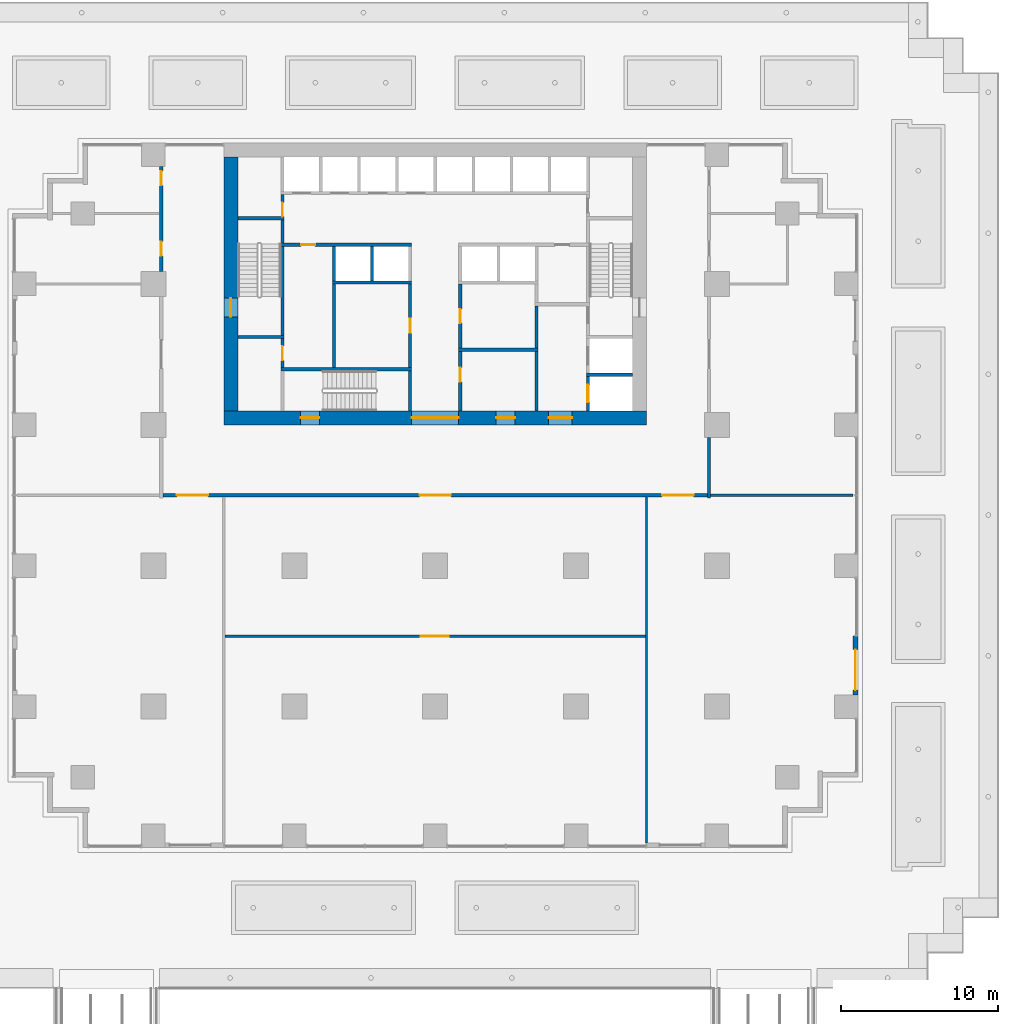
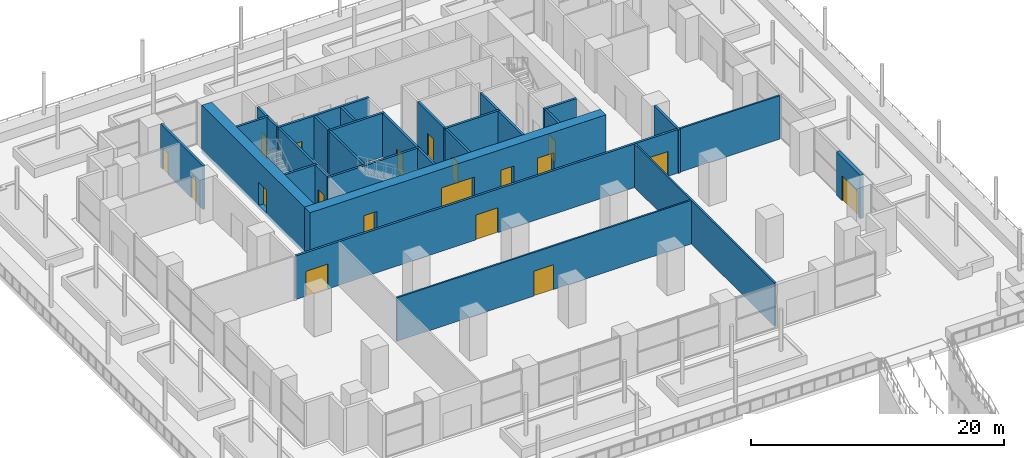
# One storey, part 10 of 18: 30 walls, 19 doors, 19 openings.
"""IFC4 building model written with IfcOpenShell, lengths in metres."""

import ifcopenshell
import ifcopenshell.guid

model = None  # the IFC model being written
_history = None  # IfcOwnerHistory: only IFC2X3 demands one
_inside = {}  # id of a spatial element -> (the spatial element, [elements in it])
_under = {}  # id of a project, library or spatial element -> (it, [spatial elements below it])
_declared = {}  # id of a project -> (the project, [libraries it declares])
_typed = {}  # id of a type object -> (the type object, [elements of that type])
_made_of = {}  # id of a material, layer set ... -> (it, [elements and type objects made of it])


def new_model(schema):
    """Start an empty IFC model of exactly this schema.

    Asked for "IFC4X3", IfcOpenShell would pick the latest addendum, in which some entities
    have other attributes; the version numbers below select the first issue.
    IFC2X3 requires an IfcOwnerHistory on every rooted entity: one is made here for all.
    """
    global model, _history
    if schema == "IFC4X3":
        model = ifcopenshell.file(schema_version=(4, 3, 0, 0))
    else:
        model = ifcopenshell.file(schema=schema)
    _inside.clear()
    _under.clear()
    _declared.clear()
    _typed.clear()
    _made_of.clear()
    _history = None
    if model.schema == "IFC2X3":
        org = make("IfcOrganization", Name="unknown")
        user = make(
            "IfcPersonAndOrganization",
            ThePerson=make("IfcPerson", FamilyName="unknown"),
            TheOrganization=org,
        )
        app = make(
            "IfcApplication",
            ApplicationDeveloper=org,
            Version="unknown",
            ApplicationFullName="unknown",
            ApplicationIdentifier="unknown",
        )
        _history = make(
            "IfcOwnerHistory",
            OwningUser=user,
            OwningApplication=app,
            ChangeAction="ADDED",
            CreationDate=0,
        )
    return model


def make(cls, **values):
    """One entity of the class cls with the attributes given. An attribute that is None is left unset."""
    return model.create_entity(
        cls, **{name: value for name, value in values.items() if value is not None}
    )


def rooted(cls, **values):
    """An entity with a GlobalId (a new one), such as an element, a storey or a relation."""
    return make(cls, GlobalId=ifcopenshell.guid.new(), OwnerHistory=_history, **values)


def si_unit(unit_type, name, prefix=None):
    """IfcSIUnit, for example si_unit("LENGTHUNIT", "METRE", prefix="MILLI")."""
    return make("IfcSIUnit", UnitType=unit_type, Prefix=prefix, Name=name)


def assignment(units):
    """IfcUnitAssignment: the units of a project."""
    return None if units is None else make("IfcUnitAssignment", Units=units)


def point(xyz):
    """IfcCartesianPoint."""
    return None if xyz is None else make("IfcCartesianPoint", Coordinates=xyz)


def direction(xyz):
    """IfcDirection."""
    return None if xyz is None else make("IfcDirection", DirectionRatios=xyz)


def frame(location, z_axis=None, x_axis=None):
    """IfcAxis2Placement3D, a coordinate frame: its origin and axes. An axis left out is left unset."""
    return make(
        "IfcAxis2Placement3D",
        Location=point(location),
        Axis=direction(z_axis),
        RefDirection=direction(x_axis),
    )


def frame_2d(location, x_axis=None):
    """IfcAxis2Placement2D, a coordinate frame in the plane: its origin and x axis."""
    return make(
        "IfcAxis2Placement2D", Location=point(location), RefDirection=direction(x_axis)
    )


def origin():
    """The frame at (0, 0, 0) with its axes left unset."""
    return frame((0.0, 0.0, 0.0))


def place(relative_to, where):
    """IfcLocalPlacement: puts the frame where relative to a parent placement (None: the world)."""
    return make(
        "IfcLocalPlacement", PlacementRelTo=relative_to, RelativePlacement=where
    )


def context(
    kind, dimensions, precision=None, world=None, true_north=None, identifier=None
):
    """IfcGeometricRepresentationContext, for example the 3D "Model" context."""
    return make(
        "IfcGeometricRepresentationContext",
        ContextIdentifier=identifier,
        ContextType=kind,
        CoordinateSpaceDimension=dimensions,
        Precision=precision,
        WorldCoordinateSystem=world,
        TrueNorth=true_north,
    )


def subcontext(parent, identifier, kind, view, scale=None):
    """IfcGeometricRepresentationSubContext, for example "Body" below "Model"."""
    return make(
        "IfcGeometricRepresentationSubContext",
        ContextIdentifier=identifier,
        ContextType=kind,
        ParentContext=parent,
        TargetScale=scale,
        TargetView=view,
    )


def project(units=None, contexts=None):
    """IfcProject with its units and contexts."""
    return rooted(
        "IfcProject",
        Name="project",
        RepresentationContexts=contexts,
        UnitsInContext=assignment(units),
    )


def spatial(cls, under=None, at=None, **own):
    """A site, building, storey or space (cls), placed at a placement, below another one or the project."""
    s = rooted(cls, ObjectPlacement=at, **own)
    if under is not None:
        _under.setdefault(under.id(), (under, []))[1].append(s)
    return s


def profile(cls, at=None, kind="AREA", **sizes):
    """A parametric profile (cls). Its sizes go by their IFC names, for example OverallWidth=200.0."""
    return make(cls, ProfileType=kind, Position=at, **sizes)


def rectangle(**sizes):
    """IfcRectangleProfileDef."""
    return profile("IfcRectangleProfileDef", **sizes)


def extrude(swept, where, along, depth):
    """IfcExtrudedAreaSolid: the profile swept, set in the frame where, extruded along a direction by depth."""
    return make(
        "IfcExtrudedAreaSolid",
        SweptArea=swept,
        Position=where,
        ExtrudedDirection=direction(along),
        Depth=depth,
    )


def shape(context_of_items, identifier, shape_type, items):
    """IfcShapeRepresentation: the items that make up one representation, for example the "Body"."""
    return make(
        "IfcShapeRepresentation",
        ContextOfItems=context_of_items,
        RepresentationIdentifier=identifier,
        RepresentationType=shape_type,
        Items=items,
    )


def material(Name=None, Category=None):
    """IfcMaterial."""
    return make("IfcMaterial", Name=Name, Category=Category)


def layer(
    of_material, thickness, ventilated=None, Name=None, Category=None, Priority=None
):
    """IfcMaterialLayer: one layer of a wall or slab, of a material (None: an air gap)."""
    return make(
        "IfcMaterialLayer",
        Material=of_material,
        LayerThickness=thickness,
        IsVentilated=ventilated,
        Name=Name,
        Category=Category,
        Priority=Priority,
    )


def layer_set(layers, Name=None):
    """IfcMaterialLayerSet."""
    return make("IfcMaterialLayerSet", MaterialLayers=layers, LayerSetName=Name)


def made_of(thing, what):
    """Note that an element or type object is made of a material, layer set ...; save() writes the relation."""
    if what is not None:
        _made_of.setdefault(what.id(), (what, []))[1].append(thing)
    return thing


def type_object(cls, material=None, **own):
    """A type object (cls), such as IfcWallType, which elements share."""
    return made_of(rooted(cls, **own), material)


def element(
    cls,
    number,
    at=None,
    inside=None,
    cuts=None,
    type_object=None,
    material=None,
    context=None,
    identifier="Body",
    shape_type=None,
    held_by="IfcProductDefinitionShape",
    body=None,
    shapes=None,
    **own,
):
    """One element of the class cls, such as IfcWall. Its Tag is "e" and its number.

    at: its placement. inside: the storey or other place that contains it. cuts: it is an
    opening in that element (IfcRelVoidsElement). A single representation is given by context,
    identifier, shape_type and body (its items); several are given by shapes. held_by: the class
    of the entity that holds the representations. save() writes the other relations.
    """
    e = rooted(cls, Tag="e%d" % number, ObjectPlacement=at, **own)
    if body is not None:
        shapes = [shape(context, identifier, shape_type, body)]
    if shapes is not None:
        e.Representation = make(held_by, Representations=shapes)
    if inside is not None:
        _inside.setdefault(inside.id(), (inside, []))[1].append(e)
    if cuts is not None:
        rooted(
            "IfcRelVoidsElement", RelatingBuildingElement=cuts, RelatedOpeningElement=e
        )
    if type_object is not None:
        _typed.setdefault(type_object.id(), (type_object, []))[1].append(e)
    return made_of(e, material)


def fill(opening, filler):
    """IfcRelFillsElement: the door or window that sits in an opening."""
    return rooted(
        "IfcRelFillsElement",
        RelatingOpeningElement=opening,
        RelatedBuildingElement=filler,
    )


def aggregate(whole, parts):
    """IfcRelAggregates: a whole, such as a stair, and the parts it consists of."""
    return rooted("IfcRelAggregates", RelatingObject=whole, RelatedObjects=parts)


def save(model, path):
    """Write the relations noted so far, then the file.

    IfcRelAggregates (storeys below a building ...), IfcRelContainedInSpatialStructure (elements
    in a storey), IfcRelDefinesByType, IfcRelAssociatesMaterial and IfcRelDeclares: one each for
    every whole, place, type object, material and project.
    """
    for whole, parts in _under.values():
        aggregate(whole, parts)
    for where, things in _inside.values():
        rooted(
            "IfcRelContainedInSpatialStructure",
            RelatedElements=things,
            RelatingStructure=where,
        )
    for kind, things in _typed.values():
        rooted("IfcRelDefinesByType", RelatedObjects=things, RelatingType=kind)
    for what, things in _made_of.values():
        rooted("IfcRelAssociatesMaterial", RelatedObjects=things, RelatingMaterial=what)
    for by, libraries in _declared.values():
        rooted("IfcRelDeclares", RelatingContext=by, RelatedDefinitions=libraries)
    model.write(path)


model = new_model("IFC4")

# Units and contexts
model_context = context("Model", 3, precision=1e-05, world=origin(), true_north=direction((0.0, 1.0)))
body_context = subcontext(model_context, "Body", "Model", "MODEL_VIEW")
ifc_project = project(units=[si_unit("LENGTHUNIT", "METRE"), si_unit("AREAUNIT", "SQUARE_METRE"), si_unit("VOLUMEUNIT", "CUBIC_METRE"), si_unit("PLANEANGLEUNIT", "RADIAN"), si_unit("MASSUNIT", "GRAM", prefix="KILO")], contexts=[model_context])

# Site, building, storey
site_placement = place(None, origin())
site = spatial("IfcSite", under=ifc_project, at=site_placement, CompositionType="ELEMENT")
building_placement = place(site_placement, origin())
building = spatial("IfcBuilding", under=site, at=building_placement, Name="Orbiselva Terraces", CompositionType="ELEMENT")
storey_placement = place(building_placement, frame((0.0, 0.0, 10.5)))
storey = spatial("IfcBuildingStorey", under=building, at=storey_placement, Name="L02", CompositionType="ELEMENT", Elevation=10.5)

# Wall, openings, doors
ifc_material_1 = material(Name="Concrete C80/95", Category="concrete")
ifc_layer_1 = layer(ifc_material_1, 0.9)
ifc_layer_set_1 = layer_set([ifc_layer_1], Name="Concrete C80/95")
wall_type_1 = type_object("IfcWallType", Name="CORE WALL 900", PredefinedType="SHEAR", material=ifc_layer_set_1)
wall_1_placement = place(storey_placement, frame((-13.5, 4.95, -0.35), z_axis=(0.0, 0.0, 1.0), x_axis=(1.0, 0.0, 0.0)))
wall_1 = element("IfcWall", 1, at=wall_1_placement, inside=storey, type_object=wall_type_1, Name="Core wall L02 south", PredefinedType="SHEAR", context=body_context, shape_type="SweptSolid", body=[
    extrude(rectangle(XDim=27.0, YDim=0.9, at=frame_2d((13.5, 0.0))), origin(), (0.0, 0.0, 1.0), 4.55),
])
opening_1_placement = place(wall_1_placement, frame((12.0, 0.0, 0.35)))
opening_1 = element("IfcOpeningElement", 2, at=opening_1_placement, cuts=wall_1, Name="Opening DL3000", PredefinedType="OPENING", context=body_context, shape_type="SweptSolid", body=[
    extrude(rectangle(XDim=3.0, YDim=2.4, at=frame_2d((1.5, 1.2))), frame((0.0, 0.46, 0.0), z_axis=(0.0, -1.0, 0.0), x_axis=(1.0, 0.0, 0.0)), (0.0, 0.0, 1.0), 0.92),
])
opening_2_placement = place(wall_1_placement, frame((4.9, 0.0, 0.35)))
opening_2 = element("IfcOpeningElement", 3, at=opening_2_placement, cuts=wall_1, Name="Opening DS1200", PredefinedType="OPENING", context=body_context, shape_type="SweptSolid", body=[
    extrude(rectangle(XDim=1.2, YDim=2.2, at=frame_2d((0.6, 1.1))), frame((0.0, 0.46, 0.0), z_axis=(0.0, -1.0, 0.0), x_axis=(1.0, 0.0, 0.0)), (0.0, 0.0, 1.0), 0.92),
])
opening_3_placement = place(wall_1_placement, frame((20.75, 0.0, 0.35)))
opening_3 = element("IfcOpeningElement", 4, at=opening_3_placement, cuts=wall_1, Name="Opening DF1500", PredefinedType="OPENING", context=body_context, shape_type="SweptSolid", body=[
    extrude(rectangle(XDim=1.5, YDim=2.2, at=frame_2d((0.75, 1.1))), frame((0.0, 0.46, 0.0), z_axis=(0.0, -1.0, 0.0), x_axis=(1.0, 0.0, 0.0)), (0.0, 0.0, 1.0), 0.92),
])
opening_4_placement = place(wall_1_placement, frame((17.4, 0.0, 0.35)))
opening_4 = element("IfcOpeningElement", 5, at=opening_4_placement, cuts=wall_1, Name="Opening DV1200", PredefinedType="OPENING", context=body_context, shape_type="SweptSolid", body=[
    extrude(rectangle(XDim=1.2, YDim=2.2, at=frame_2d((0.6, 1.1))), frame((0.0, 0.46, 0.0), z_axis=(0.0, -1.0, 0.0), x_axis=(1.0, 0.0, 0.0)), (0.0, 0.0, 1.0), 0.92),
])
ifc_material_2 = material(Name="Steel fire door", Category="steel")
door_type_1 = type_object("IfcDoorType", Name="FFL DOOR 1500", OperationType="DOUBLE_DOOR_SINGLE_SWING", PredefinedType="DOOR", material=ifc_material_2)
door_1_placement = place(opening_3_placement, frame((1.5, 0.0, 0.0), z_axis=(0.0, 0.0, 1.0), x_axis=(-1.0, 0.0, 0.0)))
door_1 = element("IfcDoor", 6, at=door_1_placement, inside=storey, type_object=door_type_1, Name="L02 FIRE-FIGHTING LOBBY door", OperationType="DOUBLE_DOOR_SINGLE_SWING", OverallHeight=2.2, OverallWidth=1.5, PredefinedType="DOOR", context=body_context, shape_type="SweptSolid", body=[
    extrude(rectangle(XDim=1.5, YDim=2.2, at=frame_2d((0.75, 1.1))), frame((0.0, 0.025, 0.0), z_axis=(0.0, -1.0, 0.0), x_axis=(1.0, 0.0, 0.0)), (0.0, 0.0, 1.0), 0.05),
])
fill(opening_3, door_1)
door_type_2 = type_object("IfcDoorType", Name="LOBBY DOOR 3000", OperationType="DOUBLE_DOOR_SINGLE_SWING", PredefinedType="DOOR", material=ifc_material_2)
door_2_placement = place(opening_1_placement, frame((3.0, 0.0, 0.0), z_axis=(0.0, 0.0, 1.0), x_axis=(-1.0, 0.0, 0.0)))
door_2 = element("IfcDoor", 7, at=door_2_placement, inside=storey, type_object=door_type_2, Name="L02 LIFT LOBBY door", OperationType="DOUBLE_DOOR_SINGLE_SWING", OverallHeight=2.4, OverallWidth=3.0, PredefinedType="DOOR", context=body_context, shape_type="SweptSolid", body=[
    extrude(rectangle(XDim=3.0, YDim=2.4, at=frame_2d((1.5, 1.2))), frame((0.0, 0.025, 0.0), z_axis=(0.0, -1.0, 0.0), x_axis=(1.0, 0.0, 0.0)), (0.0, 0.0, 1.0), 0.05),
])
fill(opening_1, door_2)
door_type_3 = type_object("IfcDoorType", Name="SERVICE DOOR 1200", OperationType="NOTDEFINED", PredefinedType="DOOR", material=ifc_material_2)
door_3_placement = place(opening_4_placement, frame((1.2, 0.0, 0.0), z_axis=(0.0, 0.0, 1.0), x_axis=(-1.0, 0.0, 0.0)))
door_3 = element("IfcDoor", 8, at=door_3_placement, inside=storey, type_object=door_type_3, Name="L02 ELECTRICAL ROOM door", OperationType="SINGLE_SWING_RIGHT", OverallHeight=2.2, OverallWidth=1.2, PredefinedType="DOOR", context=body_context, shape_type="SweptSolid", body=[
    extrude(rectangle(XDim=1.2, YDim=2.2, at=frame_2d((0.6, 1.1))), frame((0.0, 0.025, 0.0), z_axis=(0.0, -1.0, 0.0), x_axis=(1.0, 0.0, 0.0)), (0.0, 0.0, 1.0), 0.05),
])
fill(opening_4, door_3)
door_type_4 = type_object("IfcDoorType", Name="STAIR DOOR 1200", OperationType="NOTDEFINED", PredefinedType="DOOR", material=ifc_material_2)
door_4_placement = place(opening_2_placement, frame((1.2, 0.0, 0.0), z_axis=(0.0, 0.0, 1.0), x_axis=(-1.0, 0.0, 0.0)))
door_4 = element("IfcDoor", 9, at=door_4_placement, inside=storey, type_object=door_type_4, Name="L02 EXIT STAIR S3 door", OperationType="SINGLE_SWING_LEFT", OverallHeight=2.2, OverallWidth=1.2, PredefinedType="DOOR", context=body_context, shape_type="SweptSolid", body=[
    extrude(rectangle(XDim=1.2, YDim=2.2, at=frame_2d((0.6, 1.1))), frame((0.0, 0.025, 0.0), z_axis=(0.0, -1.0, 0.0), x_axis=(1.0, 0.0, 0.0)), (0.0, 0.0, 1.0), 0.05),
])
fill(opening_2, door_4)

# Wall, opening, door
wall_2_placement = place(storey_placement, frame((-13.05, 21.6, -0.35), z_axis=(0.0, 0.0, 1.0), x_axis=(0.0, -1.0, 0.0)))
wall_2 = element("IfcWall", 10, at=wall_2_placement, inside=storey, type_object=wall_type_1, Name="Core wall L02 west", PredefinedType="SHEAR", context=body_context, shape_type="SweptSolid", body=[
    extrude(rectangle(XDim=16.2, YDim=0.9, at=frame_2d((8.1, 0.0))), origin(), (0.0, 0.0, 1.0), 4.55),
])
opening_5_placement = place(wall_2_placement, frame((9.0, 0.0, 0.35)))
opening_5 = element("IfcOpeningElement", 11, at=opening_5_placement, cuts=wall_2, Name="Opening DS1200", PredefinedType="OPENING", context=body_context, shape_type="SweptSolid", body=[
    extrude(rectangle(XDim=1.2, YDim=2.2, at=frame_2d((0.6, 1.1))), frame((0.0, 0.46, 0.0), z_axis=(0.0, -1.0, 0.0), x_axis=(1.0, 0.0, 0.0)), (0.0, 0.0, 1.0), 0.92),
])
door_5_placement = place(opening_5_placement, frame((1.2, 0.0, 0.0), z_axis=(0.0, 0.0, 1.0), x_axis=(-1.0, 0.0, 0.0)))
door_5 = element("IfcDoor", 12, at=door_5_placement, inside=storey, type_object=door_type_4, Name="L02 EXIT STAIR S1 door", OperationType="SINGLE_SWING_RIGHT", OverallHeight=2.2, OverallWidth=1.2, PredefinedType="DOOR", context=body_context, shape_type="SweptSolid", body=[
    extrude(rectangle(XDim=1.2, YDim=2.2, at=frame_2d((0.6, 1.1))), frame((0.0, 0.025, 0.0), z_axis=(0.0, -1.0, 0.0), x_axis=(1.0, 0.0, 0.0)), (0.0, 0.0, 1.0), 0.05),
])
fill(opening_5, door_5)

ifc_material_3 = material(Name="Masonry blockwork", Category="masonry")
ifc_layer_2 = layer(ifc_material_3, 0.2)
ifc_layer_set_2 = layer_set([ifc_layer_2], Name="Masonry blockwork")
wall_type_2 = type_object("IfcWallType", Name="CORE-WALL-PARTITION-200", PredefinedType="PARTITIONING", material=ifc_layer_set_2)
wall_3_placement = place(storey_placement, frame((-9.75, 8.15, 0.0), z_axis=(0.0, 0.0, 1.0), x_axis=(0.0, 1.0, 0.0)))
wall_3 = element("IfcWall", 13, at=wall_3_placement, inside=storey, type_object=wall_type_2, Name="L02 core wall 05", PredefinedType="PARTITIONING", context=body_context, shape_type="SweptSolid", body=[
    extrude(rectangle(XDim=1.85, YDim=0.2, at=frame_2d((0.925, 0.0))), origin(), (0.0, 0.0, 1.0), 4.2),
])
opening_6_placement = place(wall_3_placement, frame((0.475, 0.0, 0.0)))
opening_6 = element("IfcOpeningElement", 14, at=opening_6_placement, cuts=wall_3, Name="Opening DR900", PredefinedType="OPENING", context=body_context, shape_type="SweptSolid", body=[
    extrude(rectangle(XDim=0.9, YDim=2.1, at=frame_2d((0.45, 1.05))), frame((0.0, 0.11, 0.0), z_axis=(0.0, -1.0, 0.0), x_axis=(1.0, 0.0, 0.0)), (0.0, 0.0, 1.0), 0.22),
])
door_type_5 = type_object("IfcDoorType", Name="ROOM DOOR 900", OperationType="NOTDEFINED", PredefinedType="DOOR", material=ifc_material_2)
door_6_placement = place(opening_6_placement, origin())
door_6 = element("IfcDoor", 15, at=door_6_placement, inside=storey, type_object=door_type_5, Name="L02 STAFF WC door", OperationType="SINGLE_SWING_RIGHT", OverallHeight=2.1, OverallWidth=0.9, PredefinedType="DOOR", context=body_context, shape_type="SweptSolid", body=[
    extrude(rectangle(XDim=0.9, YDim=2.1, at=frame_2d((0.45, 1.05))), frame((0.0, 0.025, 0.0), z_axis=(0.0, -1.0, 0.0), x_axis=(1.0, 0.0, 0.0)), (0.0, 0.0, 1.0), 0.05),
])
fill(opening_6, door_6)

wall_4_placement = place(storey_placement, frame((-9.75, 17.8, 0.0), z_axis=(0.0, 0.0, 1.0), x_axis=(0.0, 1.0, 0.0)))
wall_4 = element("IfcWall", 16, at=wall_4_placement, inside=storey, type_object=wall_type_2, Name="L02 core wall 09", PredefinedType="PARTITIONING", context=body_context, shape_type="SweptSolid", body=[
    extrude(rectangle(XDim=1.4, YDim=0.2, at=frame_2d((0.7, 0.0))), origin(), (0.0, 0.0, 1.0), 4.2),
])
opening_7_placement = place(wall_4_placement, origin())
opening_7 = element("IfcOpeningElement", 17, at=opening_7_placement, cuts=wall_4, Name="Opening DR900", PredefinedType="OPENING", context=body_context, shape_type="SweptSolid", body=[
    extrude(rectangle(XDim=0.9, YDim=2.1, at=frame_2d((0.45, 1.05))), frame((0.0, 0.11, 0.0), z_axis=(0.0, -1.0, 0.0), x_axis=(1.0, 0.0, 0.0)), (0.0, 0.0, 1.0), 0.22),
])
door_7_placement = place(opening_7_placement, origin())
door_7 = element("IfcDoor", 18, at=door_7_placement, inside=storey, type_object=door_type_5, Name="L02 ELECTRICAL RISER ROOM door", OperationType="SINGLE_SWING_LEFT", OverallHeight=2.1, OverallWidth=0.9, PredefinedType="DOOR", context=body_context, shape_type="SweptSolid", body=[
    extrude(rectangle(XDim=0.9, YDim=2.1, at=frame_2d((0.45, 1.05))), frame((0.0, 0.025, 0.0), z_axis=(0.0, -1.0, 0.0), x_axis=(1.0, 0.0, 0.0)), (0.0, 0.0, 1.0), 0.05),
])
fill(opening_7, door_7)

# Walls
wall_5_placement = place(storey_placement, frame((-6.475, 8.15, 0.0), z_axis=(0.0, 0.0, 1.0), x_axis=(0.0, 1.0, 0.0)))
element("IfcWall", 19, at=wall_5_placement, inside=storey, type_object=wall_type_2, Name="L02 core wall 13", PredefinedType="PARTITIONING", context=body_context, shape_type="SweptSolid", body=[
    extrude(rectangle(XDim=5.35, YDim=0.2, at=frame_2d((2.675, 0.0))), origin(), (0.0, 0.0, 1.0), 4.2),
])
ifc_material_4 = material(Name="Concrete C40/50", Category="concrete")
ifc_layer_3 = layer(ifc_material_4, 0.2)
ifc_layer_set_3 = layer_set([ifc_layer_3], Name="Concrete C40/50")
wall_type_3 = type_object("IfcWallType", Name="CORE-WALL-SHAFT-200", PredefinedType="PARTITIONING", material=ifc_layer_set_3)
for number, where, z_axis, x_axis, name in (
    (20, (-6.475, 13.7, 0.0), (0.0, 0.0, 1.0), (0.0, 1.0, 0.0), "L02 core wall 15"),
    (21, (-4.0375, 13.7, 0.0), (0.0, 0.0, 1.0), (0.0, 1.0, 0.0), "L02 core wall 17"),
):
    element("IfcWall", number, at=place(storey_placement, frame(where, z_axis=z_axis, x_axis=x_axis)), inside=storey, type_object=wall_type_3, Name=name, PredefinedType="PARTITIONING", context=body_context, shape_type="SweptSolid", body=[
        extrude(rectangle(XDim=2.2, YDim=0.2, at=frame_2d((1.1, 0.0))), origin(), (0.0, 0.0, 1.0), 4.2),
    ])
ifc_material_5 = material(Name="Concrete C60/75", Category="concrete")
ifc_layer_4 = layer(ifc_material_5, 0.2)
ifc_layer_set_4 = layer_set([ifc_layer_4], Name="Concrete C60/75")
wall_type_4 = type_object("IfcWallType", Name="CORE-WALL-SHEAR-200", PredefinedType="SHEAR", material=ifc_layer_set_4)
for number, where, z_axis, x_axis, name in (
    (22, (-12.6, 10.1, 0.0), (0.0, 0.0, 1.0), (1.0, 0.0, 0.0), "L02 core wall 01"),
    (23, (-12.6, 17.7, 0.0), (0.0, 0.0, 1.0), (1.0, 0.0, 0.0), "L02 core wall 02"),
):
    element("IfcWall", number, at=place(storey_placement, frame(where, z_axis=z_axis, x_axis=x_axis)), inside=storey, type_object=wall_type_4, Name=name, PredefinedType="SHEAR", context=body_context, shape_type="SweptSolid", body=[
        extrude(rectangle(XDim=2.95, YDim=0.2, at=frame_2d((1.475, 0.0))), origin(), (0.0, 0.0, 1.0), 4.2),
    ])
wall_6_placement = place(storey_placement, frame((-9.85, 8.05, 0.0), z_axis=(0.0, 0.0, 1.0), x_axis=(1.0, 0.0, 0.0)))
element("IfcWall", 24, at=wall_6_placement, inside=storey, type_object=wall_type_4, Name="L02 core wall 04", PredefinedType="SHEAR", context=body_context, shape_type="SweptSolid", body=[
    extrude(rectangle(XDim=8.35, YDim=0.2, at=frame_2d((4.175, 0.0))), origin(), (0.0, 0.0, 1.0), 4.2),
])
wall_7_placement = place(storey_placement, frame((-9.75, 10.2, 0.0), z_axis=(0.0, 0.0, 1.0), x_axis=(0.0, 1.0, 0.0)))
element("IfcWall", 25, at=wall_7_placement, inside=storey, type_object=wall_type_4, Name="L02 core wall 06", PredefinedType="SHEAR", context=body_context, shape_type="SweptSolid", body=[
    extrude(rectangle(XDim=5.7, YDim=0.2, at=frame_2d((2.85, 0.0))), origin(), (0.0, 0.0, 1.0), 4.2),
])

# Wall, opening, door
wall_8_placement = place(storey_placement, frame((-1.5, 16.0, 0.0), z_axis=(0.0, 0.0, 1.0), x_axis=(-1.0, 0.0, 0.0)))
wall_8 = element("IfcWall", 26, at=wall_8_placement, inside=storey, type_object=wall_type_4, Name="L02 core wall 07", PredefinedType="SHEAR", context=body_context, shape_type="SweptSolid", body=[
    extrude(rectangle(XDim=8.35, YDim=0.2, at=frame_2d((4.175, 0.0))), origin(), (0.0, 0.0, 1.0), 4.2),
])
opening_8_placement = place(wall_8_placement, frame((6.1625, 0.0, 0.0)))
opening_8 = element("IfcOpeningElement", 27, at=opening_8_placement, cuts=wall_8, Name="Opening DR900", PredefinedType="OPENING", context=body_context, shape_type="SweptSolid", body=[
    extrude(rectangle(XDim=0.9, YDim=2.1, at=frame_2d((0.45, 1.05))), frame((0.0, 0.11, 0.0), z_axis=(0.0, -1.0, 0.0), x_axis=(1.0, 0.0, 0.0)), (0.0, 0.0, 1.0), 0.22),
])
door_8_placement = place(opening_8_placement, origin())
door_8 = element("IfcDoor", 28, at=door_8_placement, inside=storey, type_object=door_type_5, Name="L02 STAFF PANTRY door", OperationType="SINGLE_SWING_RIGHT", OverallHeight=2.1, OverallWidth=0.9, PredefinedType="DOOR", context=body_context, shape_type="SweptSolid", body=[
    extrude(rectangle(XDim=0.9, YDim=2.1, at=frame_2d((0.45, 1.05))), frame((0.0, 0.025, 0.0), z_axis=(0.0, -1.0, 0.0), x_axis=(1.0, 0.0, 0.0)), (0.0, 0.0, 1.0), 0.05),
])
fill(opening_8, door_8)

# Walls
wall_9_placement = place(storey_placement, frame((-9.75, 16.1, 0.0), z_axis=(0.0, 0.0, 1.0), x_axis=(0.0, 1.0, 0.0)))
element("IfcWall", 29, at=wall_9_placement, inside=storey, type_object=wall_type_4, Name="L02 core wall 08", PredefinedType="SHEAR", context=body_context, shape_type="SweptSolid", body=[
    extrude(rectangle(XDim=1.5, YDim=0.2, at=frame_2d((0.75, 0.0))), origin(), (0.0, 0.0, 1.0), 4.2),
])
wall_10_placement = place(storey_placement, frame((-6.575, 13.6, 0.0), z_axis=(0.0, 0.0, 1.0), x_axis=(1.0, 0.0, 0.0)))
element("IfcWall", 30, at=wall_10_placement, inside=storey, type_object=wall_type_4, Name="L02 core wall 14", PredefinedType="SHEAR", context=body_context, shape_type="SweptSolid", body=[
    extrude(rectangle(XDim=5.075, YDim=0.2, at=frame_2d((2.5375, 0.0))), origin(), (0.0, 0.0, 1.0), 4.2),
])
wall_11_placement = place(storey_placement, frame((-1.6, 5.4, 0.0), z_axis=(0.0, 0.0, 1.0), x_axis=(0.0, 1.0, 0.0)))
element("IfcWall", 31, at=wall_11_placement, inside=storey, type_object=wall_type_4, Name="L02 core wall 19", PredefinedType="SHEAR", context=body_context, shape_type="SweptSolid", body=[
    extrude(rectangle(XDim=2.55, YDim=0.2, at=frame_2d((1.275, 0.0))), origin(), (0.0, 0.0, 1.0), 4.2),
])

# Wall, opening, door
wall_12_placement = place(storey_placement, frame((-1.6, 8.15, 0.0), z_axis=(0.0, 0.0, 1.0), x_axis=(0.0, 1.0, 0.0)))
wall_12 = element("IfcWall", 32, at=wall_12_placement, inside=storey, type_object=wall_type_4, Name="L02 core wall 20", PredefinedType="SHEAR", context=body_context, shape_type="SweptSolid", body=[
    extrude(rectangle(XDim=5.35, YDim=0.2, at=frame_2d((2.675, 0.0))), origin(), (0.0, 0.0, 1.0), 4.2),
])
opening_9_placement = place(wall_12_placement, frame((2.225, 0.0, 0.0)))
opening_9 = element("IfcOpeningElement", 33, at=opening_9_placement, cuts=wall_12, Name="Opening DR900", PredefinedType="OPENING", context=body_context, shape_type="SweptSolid", body=[
    extrude(rectangle(XDim=0.9, YDim=2.1, at=frame_2d((0.45, 1.05))), frame((0.0, 0.11, 0.0), z_axis=(0.0, -1.0, 0.0), x_axis=(1.0, 0.0, 0.0)), (0.0, 0.0, 1.0), 0.22),
])
door_9_placement = place(opening_9_placement, origin())
door_9 = element("IfcDoor", 34, at=door_9_placement, inside=storey, type_object=door_type_5, Name="L02 HOUSEKEEPING STORE door", OperationType="SINGLE_SWING_RIGHT", OverallHeight=2.1, OverallWidth=0.9, PredefinedType="DOOR", context=body_context, shape_type="SweptSolid", body=[
    extrude(rectangle(XDim=0.9, YDim=2.1, at=frame_2d((0.45, 1.05))), frame((0.0, 0.025, 0.0), z_axis=(0.0, -1.0, 0.0), x_axis=(1.0, 0.0, 0.0)), (0.0, 0.0, 1.0), 0.05),
])
fill(opening_9, door_9)

wall_13_placement = place(storey_placement, frame((1.6, 9.2, 0.0), z_axis=(0.0, 0.0, 1.0), x_axis=(0.0, -1.0, 0.0)))
wall_13 = element("IfcWall", 35, at=wall_13_placement, inside=storey, type_object=wall_type_4, Name="L02 core wall 23", PredefinedType="SHEAR", context=body_context, shape_type="SweptSolid", body=[
    extrude(rectangle(XDim=3.8, YDim=0.2, at=frame_2d((1.9, 0.0))), origin(), (0.0, 0.0, 1.0), 4.2),
])
opening_10_placement = place(wall_13_placement, frame((1.05, 0.0, 0.0)))
opening_10 = element("IfcOpeningElement", 36, at=opening_10_placement, cuts=wall_13, Name="Opening DR900", PredefinedType="OPENING", context=body_context, shape_type="SweptSolid", body=[
    extrude(rectangle(XDim=0.9, YDim=2.1, at=frame_2d((0.45, 1.05))), frame((0.0, 0.11, 0.0), z_axis=(0.0, -1.0, 0.0), x_axis=(1.0, 0.0, 0.0)), (0.0, 0.0, 1.0), 0.22),
])
door_10_placement = place(opening_10_placement, origin())
door_10 = element("IfcDoor", 37, at=door_10_placement, inside=storey, type_object=door_type_5, Name="L02 ELECTRICAL ROOM door", OperationType="SINGLE_SWING_LEFT", OverallHeight=2.1, OverallWidth=0.9, PredefinedType="DOOR", context=body_context, shape_type="SweptSolid", body=[
    extrude(rectangle(XDim=0.9, YDim=2.1, at=frame_2d((0.45, 1.05))), frame((0.0, 0.025, 0.0), z_axis=(0.0, -1.0, 0.0), x_axis=(1.0, 0.0, 0.0)), (0.0, 0.0, 1.0), 0.05),
])
fill(opening_10, door_10)

# Wall
wall_14_placement = place(storey_placement, frame((1.5, 9.3, 0.0), z_axis=(0.0, 0.0, 1.0), x_axis=(1.0, 0.0, 0.0)))
element("IfcWall", 38, at=wall_14_placement, inside=storey, type_object=wall_type_4, Name="L02 core wall 24", PredefinedType="SHEAR", context=body_context, shape_type="SweptSolid", body=[
    extrude(rectangle(XDim=5.075, YDim=0.2, at=frame_2d((2.5375, 0.0))), origin(), (0.0, 0.0, 1.0), 4.2),
])

# Wall, opening, door
wall_15_placement = place(storey_placement, frame((1.6, 13.5, 0.0), z_axis=(0.0, 0.0, 1.0), x_axis=(0.0, -1.0, 0.0)))
wall_15 = element("IfcWall", 39, at=wall_15_placement, inside=storey, type_object=wall_type_4, Name="L02 core wall 25", PredefinedType="SHEAR", context=body_context, shape_type="SweptSolid", body=[
    extrude(rectangle(XDim=4.1, YDim=0.2, at=frame_2d((2.05, 0.0))), origin(), (0.0, 0.0, 1.0), 4.2),
])
opening_11_placement = place(wall_15_placement, frame((1.6, 0.0, 0.0)))
opening_11 = element("IfcOpeningElement", 40, at=opening_11_placement, cuts=wall_15, Name="Opening DR900", PredefinedType="OPENING", context=body_context, shape_type="SweptSolid", body=[
    extrude(rectangle(XDim=0.9, YDim=2.1, at=frame_2d((0.45, 1.05))), frame((0.0, 0.11, 0.0), z_axis=(0.0, -1.0, 0.0), x_axis=(1.0, 0.0, 0.0)), (0.0, 0.0, 1.0), 0.22),
])
door_11_placement = place(opening_11_placement, origin())
door_11 = element("IfcDoor", 41, at=door_11_placement, inside=storey, type_object=door_type_5, Name="L02 COMMS ROOM door", OperationType="SINGLE_SWING_RIGHT", OverallHeight=2.1, OverallWidth=0.9, PredefinedType="DOOR", context=body_context, shape_type="SweptSolid", body=[
    extrude(rectangle(XDim=0.9, YDim=2.1, at=frame_2d((0.45, 1.05))), frame((0.0, 0.025, 0.0), z_axis=(0.0, -1.0, 0.0), x_axis=(1.0, 0.0, 0.0)), (0.0, 0.0, 1.0), 0.05),
])
fill(opening_11, door_11)

# Walls
wall_16_placement = place(storey_placement, frame((6.475, 5.4, 0.0), z_axis=(0.0, 0.0, 1.0), x_axis=(0.0, 1.0, 0.0)))
element("IfcWall", 42, at=wall_16_placement, inside=storey, type_object=wall_type_4, Name="L02 core wall 32", PredefinedType="SHEAR", context=body_context, shape_type="SweptSolid", body=[
    extrude(rectangle(XDim=3.8, YDim=0.2, at=frame_2d((1.9, 0.0))), origin(), (0.0, 0.0, 1.0), 4.2),
])
wall_17_placement = place(storey_placement, frame((6.475, 9.4, 0.0), z_axis=(0.0, 0.0, 1.0), x_axis=(0.0, 1.0, 0.0)))
element("IfcWall", 43, at=wall_17_placement, inside=storey, type_object=wall_type_4, Name="L02 core wall 33", PredefinedType="SHEAR", context=body_context, shape_type="SweptSolid", body=[
    extrude(rectangle(XDim=2.7, YDim=0.2, at=frame_2d((1.35, 0.0))), origin(), (0.0, 0.0, 1.0), 4.2),
])

# Wall, opening, door
wall_18_placement = place(storey_placement, frame((9.75, 5.4, 0.0), z_axis=(0.0, 0.0, 1.0), x_axis=(0.0, 1.0, 0.0)))
wall_18 = element("IfcWall", 44, at=wall_18_placement, inside=storey, type_object=wall_type_4, Name="L02 core wall 38", PredefinedType="SHEAR", context=body_context, shape_type="SweptSolid", body=[
    extrude(rectangle(XDim=2.2, YDim=0.2, at=frame_2d((1.1, 0.0))), origin(), (0.0, 0.0, 1.0), 4.2),
])
opening_12_placement = place(wall_18_placement, frame((0.55, 0.0, 0.0)))
opening_12 = element("IfcOpeningElement", 45, at=opening_12_placement, cuts=wall_18, Name="Opening LD-FF1", PredefinedType="OPENING", context=body_context, shape_type="SweptSolid", body=[
    extrude(rectangle(XDim=1.1, YDim=2.1, at=frame_2d((0.55, 1.05))), frame((0.0, 0.11, 0.0), z_axis=(0.0, -1.0, 0.0), x_axis=(1.0, 0.0, 0.0)), (0.0, 0.0, 1.0), 0.22),
])
ifc_material_6 = material(Name="Stainless steel landing door", Category="steel")
door_type_6 = type_object("IfcDoorType", Name="LANDING DOOR 1100", OperationType="SLIDING_TO_LEFT", PredefinedType="DOOR", material=ifc_material_6)
door_12_placement = place(opening_12_placement, origin())
door_12 = element("IfcDoor", 46, at=door_12_placement, inside=storey, type_object=door_type_6, Name="L02 landing door FF1", OperationType="SLIDING_TO_RIGHT", OverallHeight=2.1, OverallWidth=1.1, PredefinedType="DOOR", context=body_context, shape_type="SweptSolid", body=[
    extrude(rectangle(XDim=1.1, YDim=2.1, at=frame_2d((0.55, 1.05))), frame((0.0, 0.025, 0.0), z_axis=(0.0, -1.0, 0.0), x_axis=(1.0, 0.0, 0.0)), (0.0, 0.0, 1.0), 0.05),
])
fill(opening_12, door_12)

# Wall
wall_19_placement = place(storey_placement, frame((9.65, 7.7, 0.0), z_axis=(0.0, 0.0, 1.0), x_axis=(1.0, 0.0, 0.0)))
element("IfcWall", 47, at=wall_19_placement, inside=storey, type_object=wall_type_4, Name="L02 core wall 39", PredefinedType="SHEAR", context=body_context, shape_type="SweptSolid", body=[
    extrude(rectangle(XDim=2.95, YDim=0.2, at=frame_2d((1.475, 0.0))), origin(), (0.0, 0.0, 1.0), 4.2),
])

# Wall, opening, door
ifc_material_7 = material(Name="Terracotta cladding on masonry backing", Category="masonry")
ifc_layer_5 = layer(ifc_material_7, 0.3)
ifc_layer_set_5 = layer_set([ifc_layer_5], Name="Terracotta cladding on masonry backing")
wall_type_5 = type_object("IfcWallType", Name="ENV-WALL-TERRACOTTA-300", PredefinedType="SOLIDWALL", material=ifc_layer_set_5)
wall_20_placement = place(storey_placement, frame((26.85, -9.0, 0.0), z_axis=(0.0, 0.0, 1.0), x_axis=(0.0, -1.0, 0.0)))
wall_20 = element("IfcWall", 48, at=wall_20_placement, inside=storey, type_object=wall_type_5, Name="Facade wall L02 E", PredefinedType="SOLIDWALL", context=body_context, shape_type="SweptSolid", body=[
    extrude(rectangle(XDim=3.75, YDim=0.3, at=frame_2d((1.875, 0.0))), origin(), (0.0, 0.0, 1.0), 4.2),
])
opening_13_placement = place(wall_20_placement, frame((0.85, 0.0, 0.0)))
opening_13 = element("IfcOpeningElement", 49, at=opening_13_placement, cuts=wall_20, Name="Opening GARDEN-E03", PredefinedType="OPENING", context=body_context, shape_type="SweptSolid", body=[
    extrude(rectangle(XDim=2.6, YDim=2.4, at=frame_2d((1.3, 1.2))), frame((0.0, 0.16, 0.0), z_axis=(0.0, -1.0, 0.0), x_axis=(1.0, 0.0, 0.0)), (0.0, 0.0, 1.0), 0.32),
])
ifc_material_8 = material(Name="Clear low-e glazing in aluminium frame", Category="aluminium")
door_type_7 = type_object("IfcDoorType", Name="TERRACE DOOR 2600 X 2400", OperationType="DOUBLE_DOOR_SINGLE_SWING", PredefinedType="DOOR", material=ifc_material_8)
door_13_placement = place(opening_13_placement, origin())
door_13 = element("IfcDoor", 50, at=door_13_placement, inside=storey, type_object=door_type_7, Name="GARDEN-E03", OperationType="SINGLE_SWING_LEFT", OverallHeight=2.4, OverallWidth=2.6, PredefinedType="DOOR", context=body_context, shape_type="SweptSolid", body=[
    extrude(rectangle(XDim=2.6, YDim=2.4, at=frame_2d((1.3, 1.2))), frame((0.0, 0.025, 0.0), z_axis=(0.0, -1.0, 0.0), x_axis=(1.0, 0.0, 0.0)), (0.0, 0.0, 1.0), 0.05),
])
fill(opening_13, door_13)

# Wall, openings, doors
ifc_material_9 = material(Name="Plasterboard on steel stud partition", Category="steel")
ifc_layer_6 = layer(ifc_material_9, 0.2)
ifc_layer_set_6 = layer_set([ifc_layer_6], Name="Plasterboard on steel stud partition")
wall_type_6 = type_object("IfcWallType", Name="UNIT-ENTRANCE-WALL-200", PredefinedType="PARTITIONING", material=ifc_layer_set_6)
wall_21_placement = place(storey_placement, frame((-17.4, 0.0, 0.0), z_axis=(0.0, 0.0, 1.0), x_axis=(1.0, 0.0, 0.0)))
wall_21 = element("IfcWall", 51, at=wall_21_placement, inside=storey, type_object=wall_type_6, Name="PARTITION L02-002", PredefinedType="PARTITIONING", context=body_context, shape_type="SweptSolid", body=[
    extrude(rectangle(XDim=34.8, YDim=0.2, at=frame_2d((17.4, 0.0))), origin(), (0.0, 0.0, 1.0), 4.2),
])
opening_14_placement = place(wall_21_placement, frame((0.9, 0.0, 0.0)))
opening_14 = element("IfcOpeningElement", 52, at=opening_14_placement, cuts=wall_21, Name="Opening GARDEN-01", PredefinedType="OPENING", context=body_context, shape_type="SweptSolid", body=[
    extrude(rectangle(XDim=2.0, YDim=2.4, at=frame_2d((1.0, 1.2))), frame((0.0, 0.11, 0.0), z_axis=(0.0, -1.0, 0.0), x_axis=(1.0, 0.0, 0.0)), (0.0, 0.0, 1.0), 0.22),
])
opening_15_placement = place(wall_21_placement, frame((16.4, 0.0, 0.0)))
opening_15 = element("IfcOpeningElement", 53, at=opening_15_placement, cuts=wall_21, Name="Opening GARDEN-02", PredefinedType="OPENING", context=body_context, shape_type="SweptSolid", body=[
    extrude(rectangle(XDim=2.0, YDim=2.4, at=frame_2d((1.0, 1.2))), frame((0.0, 0.11, 0.0), z_axis=(0.0, -1.0, 0.0), x_axis=(1.0, 0.0, 0.0)), (0.0, 0.0, 1.0), 0.22),
])
opening_16_placement = place(wall_21_placement, frame((31.9, 0.0, 0.0)))
opening_16 = element("IfcOpeningElement", 54, at=opening_16_placement, cuts=wall_21, Name="Opening GARDEN-03", PredefinedType="OPENING", context=body_context, shape_type="SweptSolid", body=[
    extrude(rectangle(XDim=2.0, YDim=2.4, at=frame_2d((1.0, 1.2))), frame((0.0, 0.11, 0.0), z_axis=(0.0, -1.0, 0.0), x_axis=(1.0, 0.0, 0.0)), (0.0, 0.0, 1.0), 0.22),
])
ifc_material_10 = material(Name="Painted timber door leaf", Category="wood")
door_type_8 = type_object("IfcDoorType", Name="AMENITY DOUBLE DOOR 2000", OperationType="NOTDEFINED", PredefinedType="DOOR", material=ifc_material_10)
door_14_placement = place(opening_14_placement, origin())
door_14 = element("IfcDoor", 55, at=door_14_placement, inside=storey, type_object=door_type_8, Name="GARDEN-01", OperationType="DOUBLE_DOOR_SINGLE_SWING", OverallHeight=2.4, OverallWidth=2.0, PredefinedType="DOOR", context=body_context, shape_type="SweptSolid", body=[
    extrude(rectangle(XDim=2.0, YDim=2.4, at=frame_2d((1.0, 1.2))), frame((0.0, 0.025, 0.0), z_axis=(0.0, -1.0, 0.0), x_axis=(1.0, 0.0, 0.0)), (0.0, 0.0, 1.0), 0.05),
])
fill(opening_14, door_14)
door_15_placement = place(opening_15_placement, origin())
door_15 = element("IfcDoor", 56, at=door_15_placement, inside=storey, type_object=door_type_8, Name="GARDEN-02", OperationType="DOUBLE_DOOR_SINGLE_SWING", OverallHeight=2.4, OverallWidth=2.0, PredefinedType="DOOR", context=body_context, shape_type="SweptSolid", body=[
    extrude(rectangle(XDim=2.0, YDim=2.4, at=frame_2d((1.0, 1.2))), frame((0.0, 0.025, 0.0), z_axis=(0.0, -1.0, 0.0), x_axis=(1.0, 0.0, 0.0)), (0.0, 0.0, 1.0), 0.05),
])
fill(opening_15, door_15)
door_16_placement = place(opening_16_placement, origin())
door_16 = element("IfcDoor", 57, at=door_16_placement, inside=storey, type_object=door_type_8, Name="GARDEN-03", OperationType="DOUBLE_DOOR_SINGLE_SWING", OverallHeight=2.4, OverallWidth=2.0, PredefinedType="DOOR", context=body_context, shape_type="SweptSolid", body=[
    extrude(rectangle(XDim=2.0, YDim=2.4, at=frame_2d((1.0, 1.2))), frame((0.0, 0.025, 0.0), z_axis=(0.0, -1.0, 0.0), x_axis=(1.0, 0.0, 0.0)), (0.0, 0.0, 1.0), 0.05),
])
fill(opening_16, door_16)

wall_22_placement = place(storey_placement, frame((-17.5, 14.3, 0.0), z_axis=(0.0, 0.0, 1.0), x_axis=(0.0, 1.0, 0.0)))
wall_22 = element("IfcWall", 58, at=wall_22_placement, inside=storey, type_object=wall_type_6, Name="PARTITION L02-013", PredefinedType="PARTITIONING", context=body_context, shape_type="SweptSolid", body=[
    extrude(rectangle(XDim=6.7, YDim=0.2, at=frame_2d((3.35, 0.0))), origin(), (0.0, 0.0, 1.0), 4.2),
])
opening_17_placement = place(wall_22_placement, frame((1.0, 0.0, 0.0)))
opening_17 = element("IfcOpeningElement", 59, at=opening_17_placement, cuts=wall_22, Name="Opening GARDEN-07", PredefinedType="OPENING", context=body_context, shape_type="SweptSolid", body=[
    extrude(rectangle(XDim=0.9, YDim=2.1, at=frame_2d((0.45, 1.05))), frame((0.0, 0.11, 0.0), z_axis=(0.0, -1.0, 0.0), x_axis=(1.0, 0.0, 0.0)), (0.0, 0.0, 1.0), 0.22),
])
opening_18_placement = place(wall_22_placement, frame((5.5, 0.0, 0.0)))
opening_18 = element("IfcOpeningElement", 60, at=opening_18_placement, cuts=wall_22, Name="Opening GARDEN-08", PredefinedType="OPENING", context=body_context, shape_type="SweptSolid", body=[
    extrude(rectangle(XDim=0.9, YDim=2.1, at=frame_2d((0.45, 1.05))), frame((0.0, 0.11, 0.0), z_axis=(0.0, -1.0, 0.0), x_axis=(1.0, 0.0, 0.0)), (0.0, 0.0, 1.0), 0.22),
])
door_type_9 = type_object("IfcDoorType", Name="BATH DOOR 900", OperationType="NOTDEFINED", PredefinedType="DOOR", material=ifc_material_10)
door_17_placement = place(opening_17_placement, origin())
door_17 = element("IfcDoor", 61, at=door_17_placement, inside=storey, type_object=door_type_9, Name="GARDEN-07", OperationType="SINGLE_SWING_LEFT", OverallHeight=2.1, OverallWidth=0.9, PredefinedType="DOOR", context=body_context, shape_type="SweptSolid", body=[
    extrude(rectangle(XDim=0.9, YDim=2.1, at=frame_2d((0.45, 1.05))), frame((0.0, 0.025, 0.0), z_axis=(0.0, -1.0, 0.0), x_axis=(1.0, 0.0, 0.0)), (0.0, 0.0, 1.0), 0.05),
])
fill(opening_17, door_17)
door_18_placement = place(opening_18_placement, origin())
door_18 = element("IfcDoor", 62, at=door_18_placement, inside=storey, type_object=door_type_9, Name="GARDEN-08", OperationType="SINGLE_SWING_RIGHT", OverallHeight=2.1, OverallWidth=0.9, PredefinedType="DOOR", context=body_context, shape_type="SweptSolid", body=[
    extrude(rectangle(XDim=0.9, YDim=2.1, at=frame_2d((0.45, 1.05))), frame((0.0, 0.025, 0.0), z_axis=(0.0, -1.0, 0.0), x_axis=(1.0, 0.0, 0.0)), (0.0, 0.0, 1.0), 0.05),
])
fill(opening_18, door_18)

# Walls
wall_23_placement = place(storey_placement, frame((17.5, -0.175, 0.0), z_axis=(0.0, 0.0, 1.0), x_axis=(0.0, 1.0, 0.0)))
element("IfcWall", 63, at=wall_23_placement, inside=storey, type_object=wall_type_6, Name="PARTITION L02-016", PredefinedType="PARTITIONING", context=body_context, shape_type="SweptSolid", body=[
    extrude(rectangle(XDim=3.875, YDim=0.2, at=frame_2d((1.9375, 0.0))), origin(), (0.0, 0.0, 1.0), 4.2),
])
ifc_layer_7 = layer(ifc_material_9, 0.15)
ifc_layer_set_7 = layer_set([ifc_layer_7], Name="Plasterboard on steel stud partition")
wall_type_7 = type_object("IfcWallType", Name="UNIT-PARTITION-150", PredefinedType="PARTITIONING", material=ifc_layer_set_7)
wall_24_placement = place(storey_placement, frame((17.6, 0.0, 0.0), z_axis=(0.0, 0.0, 1.0), x_axis=(1.0, 0.0, 0.0)))
element("IfcWall", 64, at=wall_24_placement, inside=storey, type_object=wall_type_7, Name="PARTITION L02-004", PredefinedType="PARTITIONING", context=body_context, shape_type="SweptSolid", body=[
    extrude(rectangle(XDim=9.1, YDim=0.15, at=frame_2d((4.55, 0.0))), origin(), (0.0, 0.0, 1.0), 4.2),
])
wall_25_placement = place(storey_placement, frame((13.5, -22.2, 0.0), z_axis=(0.0, 0.0, 1.0), x_axis=(0.0, 1.0, 0.0)))
element("IfcWall", 65, at=wall_25_placement, inside=storey, type_object=wall_type_7, Name="PARTITION L02-015", PredefinedType="PARTITIONING", context=body_context, shape_type="SweptSolid", body=[
    extrude(rectangle(XDim=22.1, YDim=0.15, at=frame_2d((11.05, 0.0))), origin(), (0.0, 0.0, 1.0), 4.2),
])

# Wall, opening, door
ifc_layer_8 = layer(ifc_material_9, 0.15)
ifc_layer_set_8 = layer_set([ifc_layer_8], Name="Plasterboard on steel stud partition")
wall_type_8 = type_object("IfcWallType", Name="UNIT-PARTITION-FR-150", PredefinedType="PARTITIONING", material=ifc_layer_set_8)
wall_26_placement = place(storey_placement, frame((-13.425, -9.0, 0.0), z_axis=(0.0, 0.0, 1.0), x_axis=(1.0, 0.0, 0.0)))
wall_26 = element("IfcWall", 66, at=wall_26_placement, inside=storey, type_object=wall_type_8, Name="PARTITION L02-001", PredefinedType="PARTITIONING", context=body_context, shape_type="SweptSolid", body=[
    extrude(rectangle(XDim=26.85, YDim=0.15, at=frame_2d((13.425, 0.0))), origin(), (0.0, 0.0, 1.0), 4.2),
])
opening_19_placement = place(wall_26_placement, frame((12.5, 0.0, 0.0)))
opening_19 = element("IfcOpeningElement", 67, at=opening_19_placement, cuts=wall_26, Name="Opening GARDEN-10", PredefinedType="OPENING", context=body_context, shape_type="SweptSolid", body=[
    extrude(rectangle(XDim=1.8, YDim=2.4, at=frame_2d((0.9, 1.2))), frame((0.0, 0.085, 0.0), z_axis=(0.0, -1.0, 0.0), x_axis=(1.0, 0.0, 0.0)), (0.0, 0.0, 1.0), 0.17),
])
door_type_10 = type_object("IfcDoorType", Name="DOUBLE DOOR 1800", OperationType="NOTDEFINED", PredefinedType="DOOR", material=ifc_material_10)
door_19_placement = place(opening_19_placement, origin())
door_19 = element("IfcDoor", 68, at=door_19_placement, inside=storey, type_object=door_type_10, Name="GARDEN-10", OperationType="DOUBLE_DOOR_SINGLE_SWING", OverallHeight=2.4, OverallWidth=1.8, PredefinedType="DOOR", context=body_context, shape_type="SweptSolid", body=[
    extrude(rectangle(XDim=1.8, YDim=2.4, at=frame_2d((0.9, 1.2))), frame((0.0, 0.025, 0.0), z_axis=(0.0, -1.0, 0.0), x_axis=(1.0, 0.0, 0.0)), (0.0, 0.0, 1.0), 0.05),
])
fill(opening_19, door_19)

save(model, "model.ifc")
